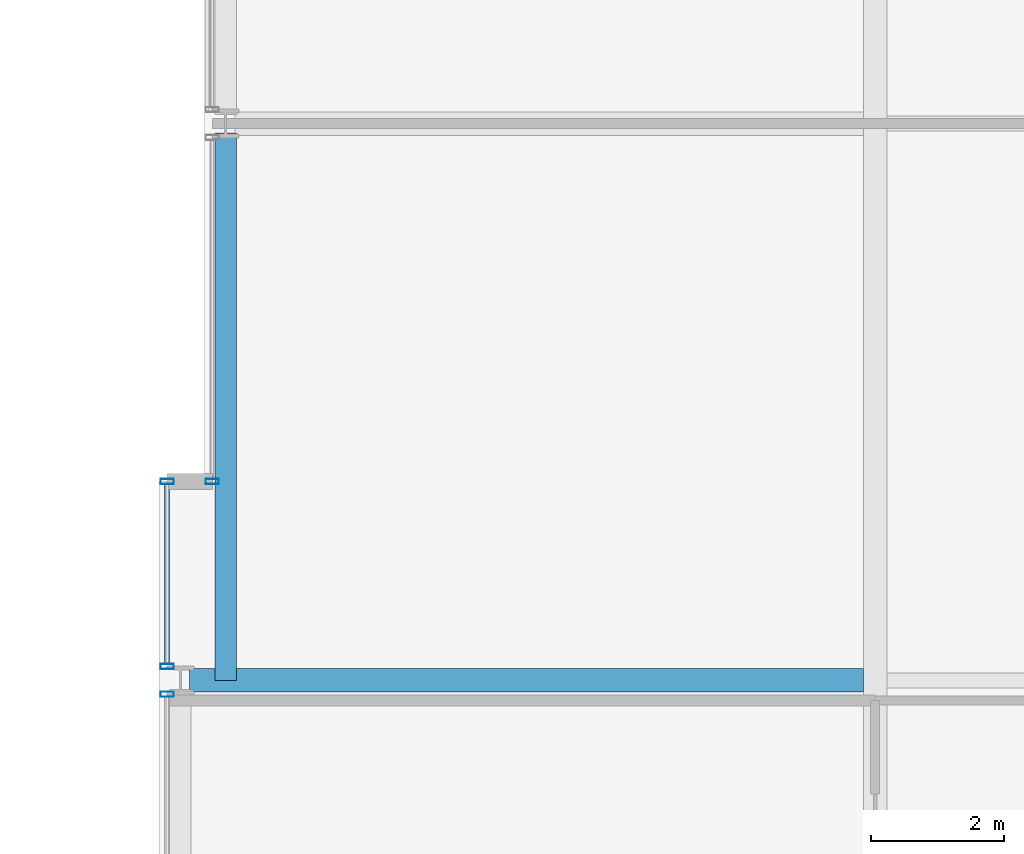
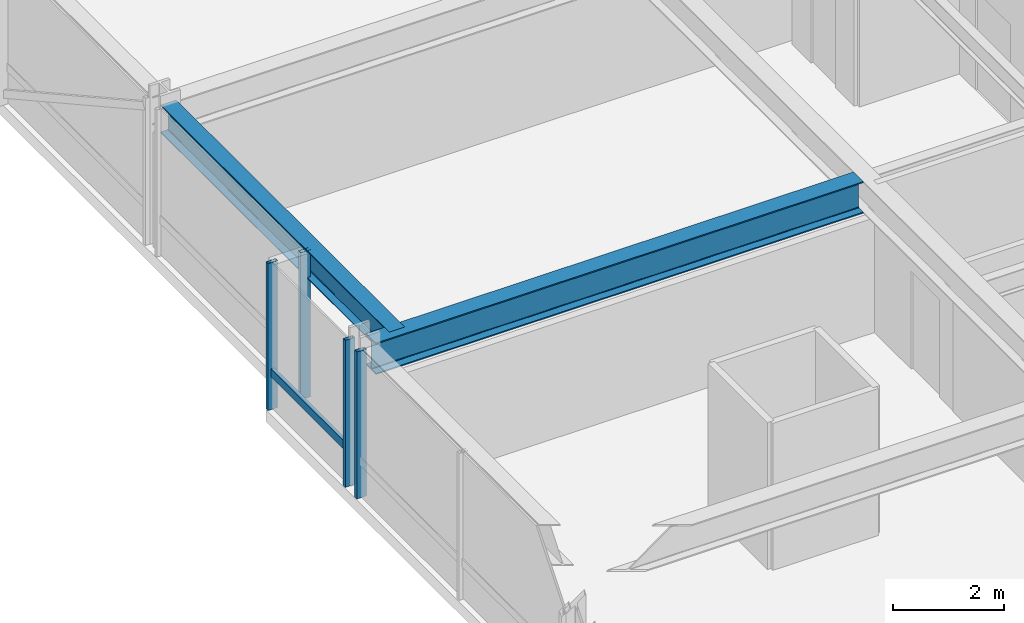
# One storey, part 7 of 35: 5 members, 2 beams, 3 elements without a shape of their own.
"""IFC4 building model written with IfcOpenShell, lengths in metres."""

from ifc_helpers import new_model, si_unit, direction, frame, origin, origin_2d, place, context, subcontext, project, spatial, hollow_rectangle, i_section, extrude, material, layer, layer_set, material_profile, profile_set, type_object, element, aggregate, save


model = new_model("IFC4")

# Units and contexts
model_context = context("Model", 3, precision=1e-05, world=origin(), true_north=direction((0.0, 1.0)))
body_context = subcontext(model_context, "Body", "Model", "MODEL_VIEW")
ifc_project = project(units=[si_unit("LENGTHUNIT", "METRE"), si_unit("AREAUNIT", "SQUARE_METRE"), si_unit("VOLUMEUNIT", "CUBIC_METRE"), si_unit("PLANEANGLEUNIT", "RADIAN"), si_unit("MASSUNIT", "GRAM", prefix="KILO")], contexts=[model_context])

# Site, building, storey
site_placement = place(None, origin())
site = spatial("IfcSite", under=ifc_project, at=site_placement, CompositionType="ELEMENT")
building_placement = place(site_placement, origin())
building = spatial("IfcBuilding", under=site, at=building_placement, Name="Drelvath Grand Hotel", CompositionType="ELEMENT")
storey_placement = place(building_placement, frame((0.0, 0.0, 123.300048828125)))
storey = spatial("IfcBuildingStorey", under=building, at=storey_placement, Name="L31", CompositionType="ELEMENT", Elevation=123.300048828125)

# Curtain wall, member
ifc_material_1 = material(Name="Champagne Bronze Anodised Aluminium Frame", Category="aluminium")
ifc_layer = layer(ifc_material_1, 0.199951171875)
ifc_layer_set = layer_set([ifc_layer], Name="Champagne Bronze Anodised Aluminium Frame")
curtain_wall_type = type_object("IfcCurtainWallType", Name="Stick Curtain Wall CW-03 Champagne Bronze Mid-Rise", PredefinedType="NOTDEFINED", material=ifc_layer_set)
curtain_wall_1_placement = place(storey_placement, origin())
curtain_wall_1 = element("IfcCurtainWall", 1, at=curtain_wall_1_placement, inside=storey, type_object=curtain_wall_type, Name="L31 CW-03 Curtain Wall CW03-L31-WS3", PredefinedType="NOTDEFINED")
ifc_material_profile_1 = material_profile(ifc_material_1, hollow_rectangle(XDim=0.074951171875, YDim=0.179931640625, WallThickness=0.0048828125, at=origin_2d()), Name="HSS180X75X5")
ifc_profile_set_1 = profile_set([ifc_material_profile_1], Name="Champagne Bronze Anodised Aluminium Frame")
member_type_1 = type_object("IfcMemberType", Name="Curtain Wall Horizontal Transom CW-03 HSS180X75X5", PredefinedType="USERDEFINED", material=ifc_profile_set_1)
member_1_placement = place(storey_placement, frame((-26.8798828125, 18.849365234375, 0.81005859375), z_axis=(0.0, 1.0, 0.0), x_axis=(-1.0, 0.0, 0.0)))
member_1 = element("IfcMember", 2, at=member_1_placement, type_object=member_type_1, Name="CW03-L31-WS3 Sill Transom", ObjectType="TRANSOM", PredefinedType="USERDEFINED", context=body_context, shape_type="SweptSolid", body=[
    extrude(hollow_rectangle(XDim=0.074951171875, YDim=0.179931640625, WallThickness=0.0048828125, at=origin_2d()), origin(), (0.0, 0.0, 1.0), 2.710693359375),
])

curtain_wall_2_placement = place(storey_placement, origin())
curtain_wall_2 = element("IfcCurtainWall", 3, at=curtain_wall_2_placement, inside=storey, type_object=curtain_wall_type, Name="L31 CW-03 Curtain Wall CW03-L31-WS2", PredefinedType="NOTDEFINED")
ifc_material_profile_2 = material_profile(ifc_material_1, hollow_rectangle(XDim=0.080078125, YDim=0.199951171875, WallThickness=0.0048828125, at=origin_2d()), Name="HSS200X80X5")
ifc_profile_set_2 = profile_set([ifc_material_profile_2], Name="Champagne Bronze Anodised Aluminium Frame")
member_type_2 = type_object("IfcMemberType", Name="Curtain Wall Vertical Mullion CW-03 HSS200X80X5", PredefinedType="MULLION", material=ifc_profile_set_2)
member_2_placement = place(storey_placement, frame((-26.8798828125, 18.390625, 0.0), z_axis=(0.0, 0.0, 1.0), x_axis=(0.0, 1.0, 0.0)))
member_2 = element("IfcMember", 4, at=member_2_placement, type_object=member_type_2, Name="CW03-L31-WS2 Mullion 3", PredefinedType="MULLION", context=body_context, shape_type="SweptSolid", body=[
    extrude(hollow_rectangle(XDim=0.080078125, YDim=0.199951171875, WallThickness=0.0048828125, at=origin_2d()), origin(), (0.0, 0.0, 1.0), 3.239990234375),
])
aggregate(curtain_wall_2, [member_2])

# Member
member_3_placement = place(storey_placement, frame((-26.8798828125, 18.809326171875, 0.0), z_axis=(0.0, 0.0, 1.0), x_axis=(0.0, 1.0, 0.0)))
member_3 = element("IfcMember", 5, at=member_3_placement, type_object=member_type_2, Name="CW03-L31-WS3 Mullion 1", PredefinedType="MULLION", context=body_context, shape_type="SweptSolid", body=[
    extrude(hollow_rectangle(XDim=0.080078125, YDim=0.199951171875, WallThickness=0.0048828125, at=origin_2d()), origin(), (0.0, 0.0, 1.0), 3.239990234375),
])

member_4_placement = place(storey_placement, frame((-26.8798828125, 21.60009765625, 0.0), z_axis=(0.0, 0.0, 1.0), x_axis=(0.0, 1.0, 0.0)))
member_4 = element("IfcMember", 6, at=member_4_placement, type_object=member_type_2, Name="CW03-L31-WS3 Mullion 2", PredefinedType="MULLION", context=body_context, shape_type="SweptSolid", body=[
    extrude(hollow_rectangle(XDim=0.080078125, YDim=0.199951171875, WallThickness=0.0048828125, at=origin_2d()), origin(), (0.0, 0.0, 1.0), 3.239990234375),
])

aggregate(curtain_wall_1, [member_3, member_4, member_1])

# Curtain wall, member
curtain_wall_3_placement = place(storey_placement, origin())
curtain_wall_3 = element("IfcCurtainWall", 7, at=curtain_wall_3_placement, inside=storey, type_object=curtain_wall_type, Name="L31 CW-03 Curtain Wall CW03-L31-WM1", PredefinedType="NOTDEFINED")
member_5_placement = place(storey_placement, frame((-26.199951171875, 21.60009765625, 0.0), z_axis=(0.0, 0.0, 1.0), x_axis=(0.0, 1.0, 0.0)))
member_5 = element("IfcMember", 8, at=member_5_placement, type_object=member_type_2, Name="CW03-L31-WM1 Mullion 1", PredefinedType="MULLION", context=body_context, shape_type="SweptSolid", body=[
    extrude(hollow_rectangle(XDim=0.080078125, YDim=0.199951171875, WallThickness=0.0048828125, at=origin_2d()), origin(), (0.0, 0.0, 1.0), 3.239990234375),
])
aggregate(curtain_wall_3, [member_5])

# Beams
ifc_material_2 = material(Name="Steel ASTM A992 Gr 50", Category="steel")
ifc_material_profile_3 = material_profile(ifc_material_2, i_section(OverallWidth=0.323974609375, OverallDepth=0.611083984375, WebThickness=0.0126953125, FlangeThickness=0.01904296875, FilletRadius=0.02197265625, at=origin_2d()), Name="W24X104")
ifc_profile_set_3 = profile_set([ifc_material_profile_3], Name="Steel ASTM A992 Gr 50")
beam_type_1 = type_object("IfcBeamType", Name="Perimeter Spandrel Beam W24X104", PredefinedType="SPANDREL", material=ifc_profile_set_3)
beam_1_placement = place(storey_placement, frame((-26.0, 18.60009765625, 2.9345703125), z_axis=(0.0, 1.0, 0.0), x_axis=(-1.0, 0.0, 0.0)))
element("IfcBeam", 9, at=beam_1_placement, inside=storey, type_object=beam_type_1, Name="L31 Spandrel West Mid S", PredefinedType="SPANDREL", context=body_context, shape_type="SweptSolid", body=[
    extrude(i_section(OverallWidth=0.323974609375, OverallDepth=0.611083984375, WebThickness=0.0126953125, FlangeThickness=0.01904296875, FilletRadius=0.02197265625, at=origin_2d()), origin(), (0.0, 0.0, 1.0), 8.260009765625),
])
ifc_material_profile_4 = material_profile(ifc_material_2, i_section(OverallWidth=0.354736328125, OverallDepth=0.695556640625, WebThickness=0.015380859375, FlangeThickness=0.025146484375, FilletRadius=0.02392578125, at=origin_2d()), Name="W27X146")
ifc_profile_set_4 = profile_set([ifc_material_profile_4], Name="Steel ASTM A992 Gr 50")
beam_type_2 = type_object("IfcBeamType", Name="Primary Floor Girder W27X146", PredefinedType="BEAM", material=ifc_profile_set_4)
beam_2_placement = place(storey_placement, frame((-26.5400390625, 18.60009765625, 2.892333984375), z_axis=(1.0, 0.0, 0.0), x_axis=(0.0, 1.0, 0.0)))
element("IfcBeam", 10, at=beam_2_placement, inside=storey, type_object=beam_type_2, Name="L31 West Wing Girder D", PredefinedType="BEAM", context=body_context, shape_type="SweptSolid", body=[
    extrude(i_section(OverallWidth=0.354736328125, OverallDepth=0.695556640625, WebThickness=0.015380859375, FlangeThickness=0.025146484375, FilletRadius=0.02392578125, at=origin_2d()), origin(), (0.0, 0.0, 1.0), 10.16259765625),
])

save(model, "model.ifc")
